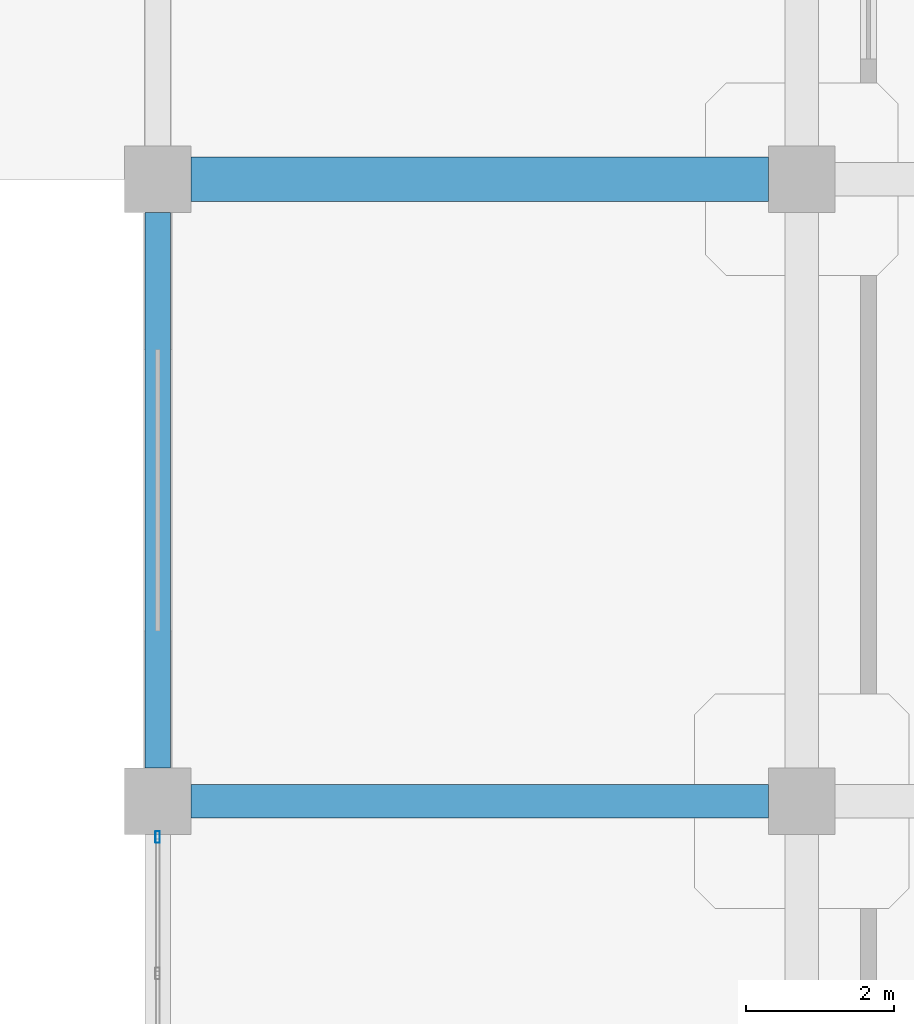
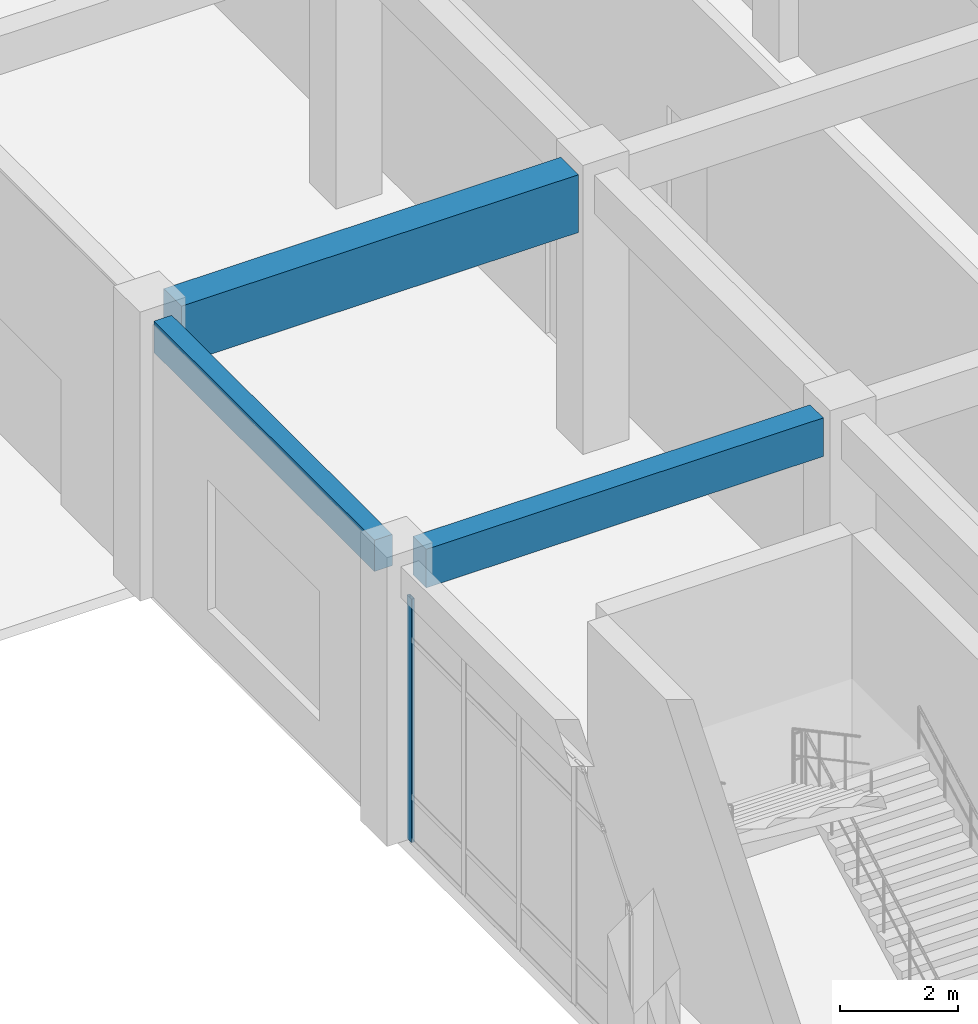
# One storey, part 16 of 82: 3 beams, 1 member, 1 element without a shape of its own.
"""IFC4 building model written with IfcOpenShell, lengths in metres."""

from ifc_helpers import new_model, si_unit, derived_unit, direction, frame, origin, origin_2d, place, context, subcontext, project, spatial, rectangle, hollow_rectangle, extrude, material, layer, layer_set, material_profile, profile_set, type_object, element, aggregate, save


model = new_model("IFC4")

# Units and contexts
model_context = context("Model", 3, precision=1e-05, world=origin(), true_north=direction((0.0, 1.0)))
body_context = subcontext(model_context, "Body", "Model", "MODEL_VIEW")
ifc_project = project(units=[si_unit("LENGTHUNIT", "METRE"), si_unit("AREAUNIT", "SQUARE_METRE"), si_unit("VOLUMEUNIT", "CUBIC_METRE"), si_unit("PLANEANGLEUNIT", "RADIAN"), si_unit("MASSUNIT", "GRAM", prefix="KILO"), derived_unit("THERMALTRANSMITTANCEUNIT", [(si_unit("MASSUNIT", "GRAM", prefix="KILO"), 1), (si_unit("TIMEUNIT", "SECOND"), -3), (si_unit("THERMODYNAMICTEMPERATUREUNIT", "KELVIN"), -1)])], contexts=[model_context])

# Site, building, storey
site_placement = place(None, origin())
site = spatial("IfcSite", under=ifc_project, at=site_placement, CompositionType="ELEMENT")
building_placement = place(site_placement, origin())
building = spatial("IfcBuilding", under=site, at=building_placement, Name="Qinzheling Arcade Emporium", CompositionType="ELEMENT")
storey_placement = place(building_placement, origin())
storey = spatial("IfcBuildingStorey", under=building, at=storey_placement, Name="L01", CompositionType="ELEMENT", Elevation=0.0)

# Curtain wall, member
ifc_material_1 = material(Name="Anodised aluminium and solar-control double glazing", Category="aluminium")
ifc_layer = layer(ifc_material_1, 0.159912109375, Name="Anodised aluminium and solar-control double glazing", Category="aluminium")
ifc_layer_set = layer_set([ifc_layer], Name="Anodised aluminium and solar-control double glazing")
curtain_wall_type = type_object("IfcCurtainWallType", Name="Street Arcade Stick Curtain Wall", PredefinedType="NOTDEFINED", material=ifc_layer_set)
curtain_wall_placement = place(storey_placement, origin())
curtain_wall = element("IfcCurtainWall", 1, at=curtain_wall_placement, inside=storey, type_object=curtain_wall_type, Name="Curtain Wall CW-L01-010", PredefinedType="NOTDEFINED")
ifc_material_2 = material(Name="Anodised aluminium 6063-T6", Category="aluminium")
ifc_material_profile_1 = material_profile(ifc_material_2, hollow_rectangle(XDim=0.06005859375, YDim=0.159912109375, WallThickness=0.00390625, InnerFilletRadius=0.00390625, OuterFilletRadius=0.008056640625, at=origin_2d()), Name="RHS 160x60x4", Category="aluminium")
ifc_profile_set_1 = profile_set([ifc_material_profile_1], Name="Anodised aluminium 6063-T6")
member_type = type_object("IfcMemberType", Name="Curtain Wall Mullion RHS160x60", PredefinedType="MULLION", material=ifc_profile_set_1)
member_placement = place(storey_placement, frame((104.39990234375, 16.318115234375, 0.0), z_axis=(0.0, 0.0, 1.0), x_axis=(-1.0, 0.0, 0.0)))
member = element("IfcMember", 2, at=member_placement, type_object=member_type, Name="CW01 mullion 5", PredefinedType="MULLION", context=body_context, shape_type="SweptSolid", body=[
    extrude(hollow_rectangle(XDim=0.06005859375, YDim=0.159912109375, WallThickness=0.00390625, InnerFilletRadius=0.00390625, OuterFilletRadius=0.008056640625, at=origin_2d()), origin(), (0.0, 0.0, 1.0), 5.054931640625),
])
aggregate(curtain_wall, [member])

# Beams
ifc_material_3 = material(Name="Concrete C40", Category="concrete")
ifc_material_profile_2 = material_profile(ifc_material_3, rectangle(XDim=0.449951171875, YDim=0.800048828125, at=origin_2d()), Name="RC 450x800", Category="concrete")
ifc_profile_set_2 = profile_set([ifc_material_profile_2], Name="Concrete C40")
beam_type_1 = type_object("IfcBeamType", Name="RC Primary Frame Beam 450x800 C40", PredefinedType="BEAM", material=ifc_profile_set_2)
beam_1_placement = place(storey_placement, frame((104.85009765625, 16.800048828125, 5.320068359375), z_axis=(1.0, 0.0, 0.0), x_axis=(0.0, 1.0, 0.0)))
element("IfcBeam", 3, at=beam_1_placement, inside=storey, type_object=beam_type_1, Name="Beam BM-L01-X-C-13", PredefinedType="BEAM", context=body_context, shape_type="SweptSolid", body=[
    extrude(rectangle(XDim=0.449951171875, YDim=0.800048828125, at=origin_2d()), origin(), (0.0, 0.0, 1.0), 7.7998046875),
])
ifc_material_profile_3 = material_profile(ifc_material_3, rectangle(XDim=0.35009765625, YDim=0.64990234375, at=origin_2d()), Name="RC 350x650", Category="concrete")
ifc_profile_set_3 = profile_set([ifc_material_profile_3], Name="Concrete C40")
beam_type_2 = type_object("IfcBeamType", Name="RC Spandrel Edge Beam 350x650 C40", PredefinedType="SPANDREL", material=ifc_profile_set_3)
beam_2_placement = place(storey_placement, frame((104.39990234375, 17.25, 5.39501953125), z_axis=(0.0, 1.0, 0.0), x_axis=(-1.0, 0.0, 0.0)))
element("IfcBeam", 4, at=beam_2_placement, inside=storey, type_object=beam_type_2, Name="Beam BM-L01-Y-13-C", PredefinedType="SPANDREL", context=body_context, shape_type="SweptSolid", body=[
    extrude(rectangle(XDim=0.35009765625, YDim=0.64990234375, at=origin_2d()), origin(), (0.0, 0.0, 1.0), 7.5),
])
ifc_material_profile_4 = material_profile(ifc_material_3, rectangle(XDim=0.60009765625, YDim=1.199951171875, at=origin_2d()), Name="RC 600x1200", Category="concrete")
ifc_profile_set_4 = profile_set([ifc_material_profile_4], Name="Concrete C40")
beam_type_3 = type_object("IfcBeamType", Name="RC Transfer Girder 600x1200 C40", PredefinedType="USERDEFINED", material=ifc_profile_set_4)
beam_3_placement = place(storey_placement, frame((104.85009765625, 25.199951171875, 5.1201171875), z_axis=(1.0, 0.0, 0.0), x_axis=(0.0, 1.0, 0.0)))
element("IfcBeam", 5, at=beam_3_placement, inside=storey, type_object=beam_type_3, Name="Beam BM-L01-X-D-13", ObjectType="TRANSFER_GIRDER", PredefinedType="USERDEFINED", context=body_context, shape_type="SweptSolid", body=[
    extrude(rectangle(XDim=0.60009765625, YDim=1.199951171875, at=origin_2d()), origin(), (0.0, 0.0, 1.0), 7.7998046875),
])

save(model, "model.ifc")
